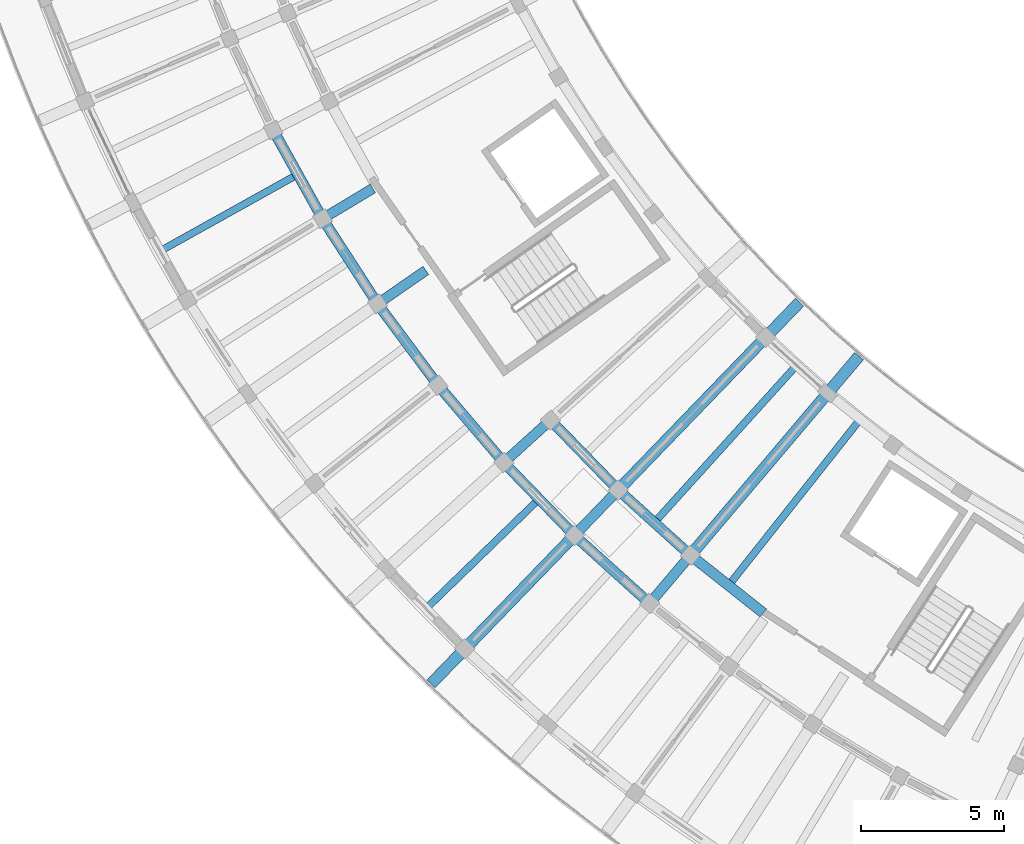
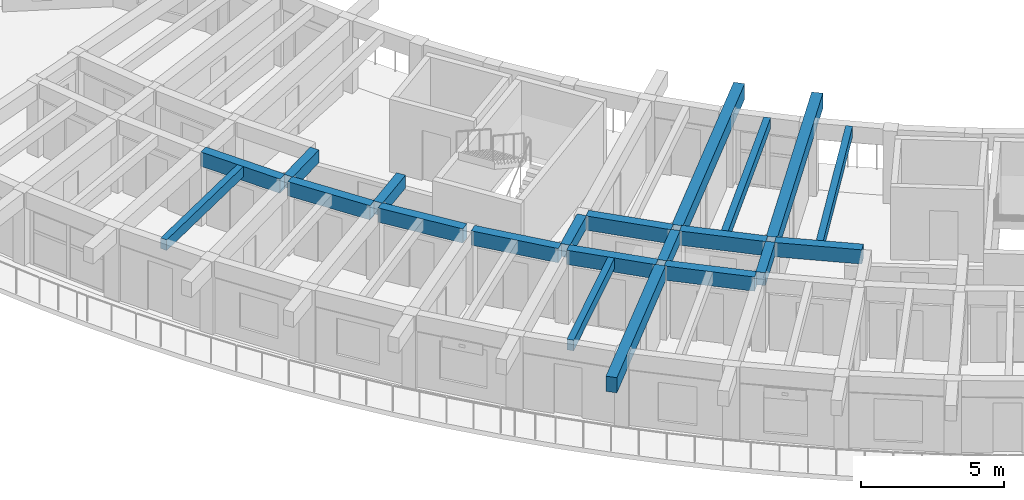
# One storey, part 5 of 83: 21 beams.
"""IFC4 building model written with IfcOpenShell, lengths in metres."""

from ifc_helpers import new_model, si_unit, direction, frame, origin, origin_2d, place, context, subcontext, project, spatial, rectangle, extrude, material, material_profile, profile_set, type_object, element, save


model = new_model("IFC4")

# Units and contexts
model_context = context("Model", 3, precision=1e-05, world=origin(), true_north=direction((0.0, 1.0)))
body_context = subcontext(model_context, "Body", "Model", "MODEL_VIEW")
ifc_project = project(units=[si_unit("LENGTHUNIT", "METRE"), si_unit("AREAUNIT", "SQUARE_METRE"), si_unit("VOLUMEUNIT", "CUBIC_METRE"), si_unit("PLANEANGLEUNIT", "RADIAN"), si_unit("MASSUNIT", "GRAM", prefix="KILO")], contexts=[model_context])

# Site, building, storey
site_placement = place(None, origin())
site = spatial("IfcSite", under=ifc_project, at=site_placement, CompositionType="ELEMENT")
building_placement = place(site_placement, origin())
building = spatial("IfcBuilding", under=site, at=building_placement, Name="Tanwirah Colonnade Gardens", CompositionType="ELEMENT")
storey_placement = place(building_placement, frame((0.0, 0.0, 25.639892578125)))
storey = spatial("IfcBuildingStorey", under=building, at=storey_placement, Name="L07", CompositionType="ELEMENT", Elevation=25.639892578125)

# Beams
ifc_material_1 = material(Name="Precast concrete C40/50", Category="concrete")
ifc_material_profile_1 = material_profile(ifc_material_1, rectangle(XDim=0.360107421875, YDim=0.610107421875, at=origin_2d()), Name="PC-BM 360x610")
ifc_profile_set_1 = profile_set([ifc_material_profile_1], Name="Precast concrete C40/50")
beam_type_1 = type_object("IfcBeamType", Name="BM-PC300", PredefinedType="BEAM", material=ifc_profile_set_1)
for number, where, z_axis, x_axis, name in (
    (1, (17.021728515625, 39.620849609375, 2.80517578125), (0.486712025227, -0.873562478875, 0.0), (0.873562478875, 0.486712025227, 0.0), "Block C L07 Circumferential Beam 3-R2"),
    (2, (18.75146484375, 36.5361328125, 2.80517578125), (0.542825891173, -0.839845254718, 0.0), (0.839845254718, 0.542825891173, 0.0), "Block C L07 Circumferential Beam 4-R2"),
):
    element("IfcBeam", number, at=place(storey_placement, frame(where, z_axis=z_axis, x_axis=x_axis)), inside=storey, type_object=beam_type_1, Name=name, PredefinedType="BEAM", context=body_context, shape_type="SweptSolid", body=[
        extrude(rectangle(XDim=0.360107421875, YDim=0.610107421875, at=origin_2d()), origin(), (0.0, 0.0, 1.0), 3.23681640625),
    ])
beam_1_placement = place(storey_placement, frame((20.679443359375, 33.5712890625, 2.80517578125), z_axis=(0.596579473879, -0.802554005252, 0.0), x_axis=(0.802554005252, 0.596579473879, 0.0)))
element("IfcBeam", 3, at=beam_1_placement, inside=storey, type_object=beam_type_1, Name="Block C L07 Circumferential Beam 5-R2", PredefinedType="BEAM", context=body_context, shape_type="SweptSolid", body=[
    extrude(rectangle(XDim=0.360107421875, YDim=0.610107421875, at=origin_2d()), origin(), (0.0, 0.0, 1.0), 3.237060546875),
])
beam_2_placement = place(storey_placement, frame((22.797119140625, 30.73876953125, 2.80517578125), z_axis=(0.6478235549, -0.761790418499, 0.0), x_axis=(0.761790418499, 0.6478235549, 0.0)))
element("IfcBeam", 4, at=beam_2_placement, inside=storey, type_object=beam_type_1, Name="Block C L07 Circumferential Beam 6-R2", PredefinedType="BEAM", context=body_context, shape_type="SweptSolid", body=[
    extrude(rectangle(XDim=0.360107421875, YDim=0.610107421875, at=origin_2d()), origin(), (0.0, 0.0, 1.0), 3.23681640625),
])
beam_3_placement = place(storey_placement, frame((26.72412109375, 29.530029296875, 2.80517578125), z_axis=(0.696209937932, -0.71783822852, 0.0), x_axis=(0.71783822852, 0.696209937932, 0.0)))
element("IfcBeam", 5, at=beam_3_placement, inside=storey, type_object=beam_type_1, Name="Block C L07 Circumferential Beam 7-R1", PredefinedType="BEAM", context=body_context, shape_type="SweptSolid", body=[
    extrude(rectangle(XDim=0.360107421875, YDim=0.610107421875, at=origin_2d()), origin(), (0.0, 0.0, 1.0), 3.093017578125),
])
beam_4_placement = place(storey_placement, frame((25.095703125, 28.05078125, 2.80517578125), z_axis=(0.696238887656, -0.717810149911, 0.0), x_axis=(0.717810149911, 0.696238887656, 0.0)))
element("IfcBeam", 6, at=beam_4_placement, inside=storey, type_object=beam_type_1, Name="Block C L07 Circumferential Beam 7-R2", PredefinedType="BEAM", context=body_context, shape_type="SweptSolid", body=[
    extrude(rectangle(XDim=0.360107421875, YDim=0.610107421875, at=origin_2d()), origin(), (0.0, 0.0, 1.0), 3.23681640625),
])
beam_5_placement = place(storey_placement, frame((29.09326171875, 27.1015625, 2.80517578125), z_axis=(0.741698455559, -0.670733479873, 0.0), x_axis=(0.670733479873, 0.741698455559, 0.0)))
element("IfcBeam", 7, at=beam_5_placement, inside=storey, type_object=beam_type_1, Name="Block C L07 Circumferential Beam 8-R1", PredefinedType="BEAM", context=body_context, shape_type="SweptSolid", body=[
    extrude(rectangle(XDim=0.360107421875, YDim=0.610107421875, at=origin_2d()), origin(), (0.0, 0.0, 1.0), 3.0927734375),
])
beam_6_placement = place(storey_placement, frame((27.56494140625, 25.51904296875, 2.80517578125), z_axis=(0.741701929733, -0.670729638104, 0.0), x_axis=(0.670729638104, 0.741701929733, 0.0)))
element("IfcBeam", 8, at=beam_6_placement, inside=storey, type_object=beam_type_1, Name="Block C L07 Circumferential Beam 8-R2", PredefinedType="BEAM", context=body_context, shape_type="SweptSolid", body=[
    extrude(rectangle(XDim=0.360107421875, YDim=0.610107421875, at=origin_2d()), origin(), (0.0, 0.0, 1.0), 3.237060546875),
])
beam_7_placement = place(storey_placement, frame((31.615966796875, 24.833251953125, 2.80517578125), z_axis=(0.783962588163, -0.62080807047, 0.0), x_axis=(0.62080807047, 0.783962588163, 0.0)))
element("IfcBeam", 9, at=beam_7_placement, inside=storey, type_object=beam_type_1, Name="Block C L07 Circumferential Beam 9-R1", PredefinedType="BEAM", context=body_context, shape_type="SweptSolid", body=[
    extrude(rectangle(XDim=0.360107421875, YDim=0.610107421875, at=origin_2d()), origin(), (0.0, 0.0, 1.0), 3.093017578125),
])
ifc_material_profile_2 = material_profile(ifc_material_1, rectangle(XDim=0.35009765625, YDim=0.550048828125, at=origin_2d()), Name="PC-BM 350x550")
ifc_profile_set_2 = profile_set([ifc_material_profile_2], Name="Precast concrete C40/50")
beam_type_2 = type_object("IfcBeamType", Name="BM-PC350A", PredefinedType="BEAM", material=ifc_profile_set_2)
beam_8_placement = place(storey_placement, frame((20.42724609375, 37.718017578125, 2.835205078125), z_axis=(-0.857186654737, -0.515005863017, 0.0), x_axis=(0.515005863017, -0.857186654737, 0.0)))
element("IfcBeam", 10, at=beam_8_placement, inside=storey, type_object=beam_type_2, Name="Block C L07 Corridor Tie Beam 4", PredefinedType="BEAM", context=body_context, shape_type="SweptSolid", body=[
    extrude(rectangle(XDim=0.35009765625, YDim=0.550048828125, at=origin_2d()), origin(), (0.0, 0.0, 1.0), 1.89990234375),
])
beam_9_placement = place(storey_placement, frame((22.2744140625, 34.860107421875, 2.835205078125), z_axis=(-0.821669163201, -0.569964723684, 0.0), x_axis=(0.569964723684, -0.821669163201, 0.0)))
element("IfcBeam", 11, at=beam_9_placement, inside=storey, type_object=beam_type_2, Name="Block C L07 Corridor Tie Beam 5", PredefinedType="BEAM", context=body_context, shape_type="SweptSolid", body=[
    extrude(rectangle(XDim=0.35009765625, YDim=0.550048828125, at=origin_2d()), origin(), (0.0, 0.0, 1.0), 1.900146484375),
])
beam_10_placement = place(storey_placement, frame((26.508544921875, 29.536865234375, 2.835205078125), z_axis=(-0.740219127015, -0.672365707038, 0.0), x_axis=(0.672365707038, -0.740219127015, 0.0)))
element("IfcBeam", 12, at=beam_10_placement, inside=storey, type_object=beam_type_2, Name="Block C L07 Corridor Tie Beam 7", PredefinedType="BEAM", context=body_context, shape_type="SweptSolid", body=[
    extrude(rectangle(XDim=0.35009765625, YDim=0.550048828125, at=origin_2d()), origin(), (0.0, 0.0, 1.0), 1.899658203125),
])
beam_11_placement = place(storey_placement, frame((28.877685546875, 27.09423828125, 2.835205078125), z_axis=(-0.694663306685, -0.719335033448, 0.0), x_axis=(0.719335033448, -0.694663306685, 0.0)))
element("IfcBeam", 13, at=beam_11_placement, inside=storey, type_object=beam_type_2, Name="Block C L07 Corridor Tie Beam 8", PredefinedType="BEAM", context=body_context, shape_type="SweptSolid", body=[
    extrude(rectangle(XDim=0.35009765625, YDim=0.550048828125, at=origin_2d()), origin(), (0.0, 0.0, 1.0), 1.89990234375),
])
beam_12_placement = place(storey_placement, frame((31.401611328125, 24.81201171875, 2.835205078125), z_axis=(-0.646155325581, -0.763205932382, 0.0), x_axis=(0.763205932382, -0.646155325581, 0.0)))
element("IfcBeam", 14, at=beam_12_placement, inside=storey, type_object=beam_type_2, Name="Block C L07 Corridor Tie Beam 9", PredefinedType="BEAM", context=body_context, shape_type="SweptSolid", body=[
    extrude(rectangle(XDim=0.35009765625, YDim=0.550048828125, at=origin_2d()), origin(), (0.0, 0.0, 1.0), 1.900146484375),
])
ifc_material_2 = material(Name="Precast concrete C45/55", Category="concrete")
ifc_material_profile_3 = material_profile(ifc_material_2, rectangle(XDim=0.39990234375, YDim=0.64990234375, at=origin_2d()), Name="PC-BM 400x650")
ifc_profile_set_3 = profile_set([ifc_material_profile_3], Name="Precast concrete C45/55")
beam_type_3 = type_object("IfcBeamType", Name="BM-PC400", PredefinedType="BEAM", material=ifc_profile_set_3)
beam_13_placement = place(storey_placement, frame((29.086181640625, 27.31005859375, 2.78515625), z_axis=(0.694655848402, 0.719342235852, 0.0), x_axis=(-0.719342235852, 0.694655848402, 0.0)))
element("IfcBeam", 15, at=beam_13_placement, inside=storey, type_object=beam_type_3, Name="Block C L07 Inner Radial Precast Girder 8", PredefinedType="BEAM", context=body_context, shape_type="SweptSolid", body=[
    extrude(rectangle(XDim=0.39990234375, YDim=0.64990234375, at=origin_2d()), origin(), (0.0, 0.0, 1.0), 8.9501953125),
])
beam_14_placement = place(storey_placement, frame((27.349609375, 25.51171875, 2.78515625), z_axis=(-0.69467114255, -0.719327466254, 0.0), x_axis=(0.719327466254, -0.69467114255, 0.0)))
element("IfcBeam", 16, at=beam_14_placement, inside=storey, type_object=beam_type_3, Name="Block C L07 Outer Radial Precast Girder 8", PredefinedType="BEAM", context=body_context, shape_type="SweptSolid", body=[
    extrude(rectangle(XDim=0.39990234375, YDim=0.64990234375, at=origin_2d()), origin(), (0.0, 0.0, 1.0), 7.050048828125),
])
beam_15_placement = place(storey_placement, frame((31.595458984375, 25.040771484375, 2.78515625), z_axis=(0.64611097415, 0.763243479554, 0.0), x_axis=(-0.763243479554, 0.64611097415, 0.0)))
element("IfcBeam", 17, at=beam_15_placement, inside=storey, type_object=beam_type_3, Name="Block C L07 Inner Radial Precast Girder 9", PredefinedType="BEAM", context=body_context, shape_type="SweptSolid", body=[
    extrude(rectangle(XDim=0.39990234375, YDim=0.64990234375, at=origin_2d()), origin(), (0.0, 0.0, 1.0), 8.949951171875),
])
ifc_material_profile_4 = material_profile(ifc_material_1, rectangle(XDim=0.25, YDim=0.449951171875, at=origin_2d()), Name="PC-JST 250x450")
ifc_profile_set_4 = profile_set([ifc_material_profile_4], Name="Precast concrete C40/50")
beam_type_4 = type_object("IfcBeamType", Name="JST-PC250", PredefinedType="JOIST", material=ifc_profile_set_4)
for number, where, z_axis, x_axis, name in (
    (18, (17.67919921875, 38.134521484375, 2.885009765625), (-0.87356769437, -0.486702664214, 0.0), (0.486702664214, -0.87356769437, 0.0), "Block C L07 Precast Floor Joist 3"),
    (19, (26.115478515625, 26.785400390625, 2.885009765625), (-0.717816036263, -0.696232818878, 0.0), (0.696232818878, -0.717816036263, 0.0), "Block C L07 Precast Floor Joist 7"),
):
    element("IfcBeam", number, at=place(storey_placement, frame(where, z_axis=z_axis, x_axis=x_axis)), inside=storey, type_object=beam_type_4, Name=name, PredefinedType="JOIST", context=body_context, shape_type="SweptSolid", body=[
        extrude(rectangle(XDim=0.25, YDim=0.449951171875, at=origin_2d()), origin(), (0.0, 0.0, 1.0), 5.260009765625),
    ])
for number, where, z_axis, x_axis, name in (
    (20, (35.104736328125, 31.443115234375, 2.885009765625), (-0.670773136608, -0.741662591214, 0.0), (0.741662591214, -0.670773136608, 0.0), "Block C L07 Inner Precast Floor Joist 8"),
    (21, (37.33056640625, 29.55859375, 2.885009765625), (-0.620803379809, -0.783966302603, 0.0), (0.783966302603, -0.620803379809, 0.0), "Block C L07 Inner Precast Floor Joist 9"),
):
    element("IfcBeam", number, at=place(storey_placement, frame(where, z_axis=z_axis, x_axis=x_axis)), inside=storey, type_object=beam_type_4, Name=name, PredefinedType="JOIST", context=body_context, shape_type="SweptSolid", body=[
        extrude(rectangle(XDim=0.25, YDim=0.449951171875, at=origin_2d()), origin(), (0.0, 0.0, 1.0), 7.159912109375),
    ])

save(model, "model.ifc")
